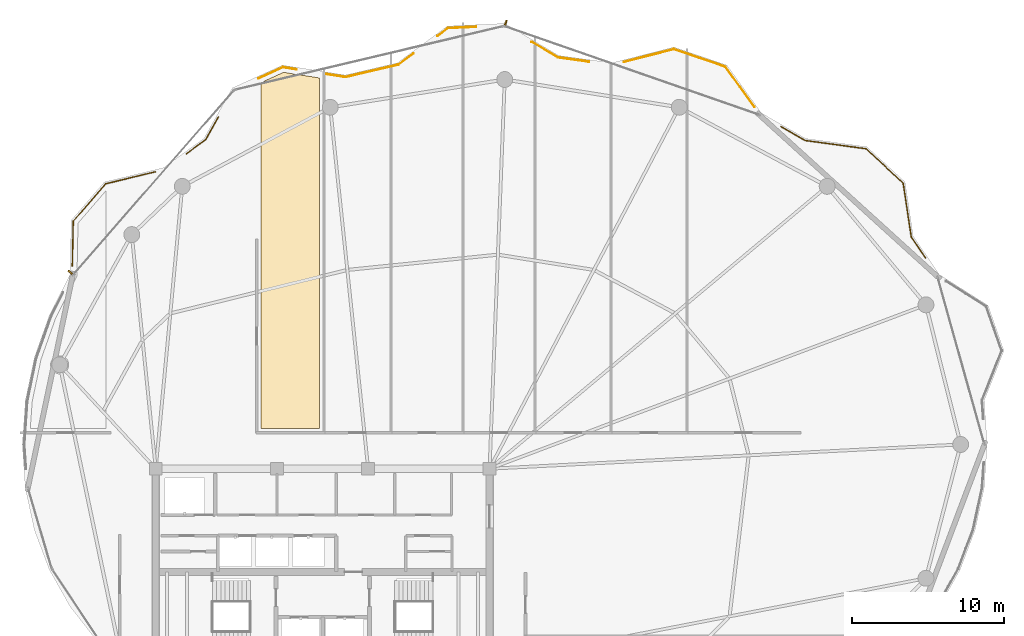
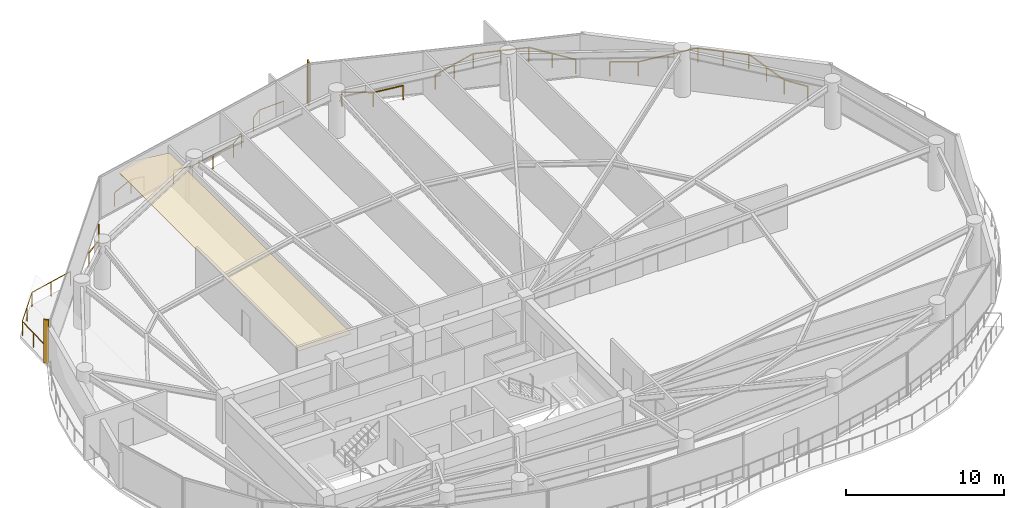
# One storey, part 28 of 28: 8 railings, 2 shading devices, 1 covering.
"""IFC4 building model written with IfcOpenShell, lengths in metres."""

from ifc_helpers import new_model, si_unit, direction, frame, origin, origin_2d, place, context, subcontext, project, spatial, polyline, rectangle, outline, extrude, material, layer, layer_set, type_object, element, save


model = new_model("IFC4")

# Units and contexts
model_context = context("Model", 3, precision=1e-05, world=origin(), true_north=direction((0.0, 1.0)))
body_context = subcontext(model_context, "Body", "Model", "MODEL_VIEW")
ifc_project = project(units=[si_unit("LENGTHUNIT", "METRE"), si_unit("AREAUNIT", "SQUARE_METRE"), si_unit("VOLUMEUNIT", "CUBIC_METRE"), si_unit("PLANEANGLEUNIT", "RADIAN"), si_unit("MASSUNIT", "GRAM", prefix="KILO")], contexts=[model_context])

# Site, building, storey
site_placement = place(None, origin())
site = spatial("IfcSite", under=ifc_project, at=site_placement, CompositionType="ELEMENT")
building_placement = place(site_placement, origin())
building = spatial("IfcBuilding", under=site, at=building_placement, Name="Kazevale Care Tower and Concert Hall", CompositionType="ELEMENT")
storey_placement = place(building_placement, frame((0.0, 0.0, 246.0)))
storey = spatial("IfcBuildingStorey", under=building, at=storey_placement, Name="L65", CompositionType="ELEMENT", Elevation=246.0)

# Covering
ifc_material_1 = material(Name="Acoustic Plaster and Hinoki Wood", Category="wood")
ifc_layer = layer(ifc_material_1, 0.0400390625)
ifc_layer_set = layer_set([ifc_layer], Name="Acoustic Plaster and Hinoki Wood")
covering_type = type_object("IfcCoveringType", Name="Acoustic Perforated Wood-Gypsum Ceiling", PredefinedType="CEILING", material=ifc_layer_set)
covering_placement = place(storey_placement, frame((0.0, 0.0, 2.7099609375)))
element("IfcCovering", 1, at=covering_placement, inside=storey, type_object=covering_type, Name="clg:L65:2", PredefinedType="CEILING", context=body_context, shape_type="SweptSolid", body=[
    extrude(outline(polyline([(28.929931640625, 61.847900390625), (30.4208984375, 62.52587890625), (32.800048828125, 62.153076171875), (32.800048828125, 39.054931640625), (28.929931640625, 39.054931640625), (28.929931640625, 61.847900390625)])), origin(), (0.0, 0.0, 1.0), 0.0400390625),
])

# Railings
ifc_material_2 = material(Name="Anodised Bronze Aluminium and Laminated Glass", Category="aluminium")
railing_type = type_object("IfcRailingType", Name="Balcony and Terrace Balustrade 1120", PredefinedType="BALUSTRADE", material=ifc_material_2)
railing_1_placement = place(storey_placement, frame((16.5009765625, 49.77392578125, 0.0)))
element("IfcRailing", 2, at=railing_1_placement, inside=storey, type_object=railing_type, Name="rail:L65:perim:2", PredefinedType="BALUSTRADE", context=body_context, shape_type="SweptSolid", body=[
    extrude(rectangle(XDim=0.048095703125, YDim=0.048095703125, at=origin_2d()), frame((0.0, 0.0, 1.09619140625), z_axis=(0.020776893953, 0.99978413704, 0.0), x_axis=(-0.99978413704, 0.020776893953, 0.0)), (0.0, 0.0, 1.0), 2.937744140625),
    extrude(rectangle(XDim=0.048095703125, YDim=0.048095703125, at=origin_2d()), frame((0.06103515625, 2.93701171875, 1.09619140625), z_axis=(0.653442230106, 0.75697638795, 0.0), x_axis=(-0.75697638795, 0.653442230106, 0.0)), (0.0, 0.0, 1.0), 3.256591796875),
    extrude(rectangle(XDim=0.048095703125, YDim=0.048095703125, at=origin_2d()), frame((2.18896484375, 5.402099609375, 1.09619140625), z_axis=(0.972048614054, 0.234779666741, 0.0), x_axis=(-0.234779666741, 0.972048614054, 0.0)), (0.0, 0.0, 1.0), 3.373291015625),
    extrude(rectangle(XDim=0.0419921875, YDim=0.0419921875, at=origin_2d()), origin(), (0.0, 0.0, 1.0), 1.072021484375),
    extrude(rectangle(XDim=0.0419921875, YDim=0.0419921875, at=origin_2d()), frame((0.030517578125, 1.468505859375, 0.0)), (0.0, 0.0, 1.0), 1.072021484375),
    extrude(rectangle(XDim=0.0419921875, YDim=0.0419921875, at=origin_2d()), frame((0.06103515625, 2.93701171875, 0.0)), (0.0, 0.0, 1.0), 1.072021484375),
    extrude(rectangle(XDim=0.0419921875, YDim=0.0419921875, at=origin_2d()), frame((1.125, 4.16943359375, 0.0)), (0.0, 0.0, 1.0), 1.072021484375),
    extrude(rectangle(XDim=0.0419921875, YDim=0.0419921875, at=origin_2d()), frame((2.18896484375, 5.402099609375, 0.0)), (0.0, 0.0, 1.0), 1.072021484375),
    extrude(rectangle(XDim=0.0419921875, YDim=0.0419921875, at=origin_2d()), frame((3.82861328125, 5.798095703125, 0.0)), (0.0, 0.0, 1.0), 1.072021484375),
    extrude(rectangle(XDim=0.0419921875, YDim=0.0419921875, at=origin_2d()), frame((5.468017578125, 6.194091796875, 0.0)), (0.0, 0.0, 1.0), 1.072021484375),
])
railing_2_placement = place(storey_placement, frame((24.01708984375, 57.159912109375, 0.0)))
element("IfcRailing", 3, at=railing_2_placement, inside=storey, type_object=railing_type, Name="rail:L65:perim:3", PredefinedType="BALUSTRADE", context=body_context, shape_type="SweptSolid", body=[
    extrude(rectangle(XDim=0.048095703125, YDim=0.048095703125, at=origin_2d()), frame((0.0, 0.0, 1.09619140625), z_axis=(0.809493304449, 0.587129108504, 0.0), x_axis=(-0.587129108504, 0.809493304449, 0.0)), (0.0, 0.0, 1.0), 1.56005859375),
    extrude(rectangle(XDim=0.048095703125, YDim=0.048095703125, at=origin_2d()), frame((1.262939453125, 0.916015625, 1.09619140625), z_axis=(0.490315047546, 0.871545267987, 0.0), x_axis=(-0.871545267987, 0.490315047546, 0.0)), (0.0, 0.0, 1.0), 1.723388671875),
    extrude(rectangle(XDim=0.0419921875, YDim=0.0419921875, at=origin_2d()), origin(), (0.0, 0.0, 1.0), 1.072021484375),
    extrude(rectangle(XDim=0.0419921875, YDim=0.0419921875, at=origin_2d()), frame((1.262939453125, 0.916015625, 0.0)), (0.0, 0.0, 1.0), 1.072021484375),
    extrude(rectangle(XDim=0.0419921875, YDim=0.0419921875, at=origin_2d()), frame((2.10791015625, 2.41796875, 0.0)), (0.0, 0.0, 1.0), 1.072021484375),
])
railing_3_placement = place(storey_placement, frame((28.763916015625, 62.125, 0.0)))
element("IfcRailing", 4, at=railing_3_placement, inside=storey, type_object=railing_type, Name="rail:L65:perim:4", PredefinedType="BALUSTRADE", context=body_context, shape_type="SweptSolid", body=[
    extrude(rectangle(XDim=0.048095703125, YDim=0.048095703125, at=origin_2d()), frame((0.0, 0.0, 1.09619140625), z_axis=(0.91054113019, 0.413418492853, 0.0), x_axis=(-0.413418492853, 0.91054113019, 0.0)), (0.0, 0.0, 1.0), 1.7705078125),
    extrude(rectangle(XDim=0.048095703125, YDim=0.048095703125, at=origin_2d()), frame((1.612060546875, 0.73193359375, 1.09619140625), z_axis=(0.98790083214, -0.155086897758, 0.0), x_axis=(0.155086897758, 0.98790083214, 0.0)), (0.0, 0.0, 1.0), 0.902099609375),
    extrude(rectangle(XDim=0.0419921875, YDim=0.0419921875, at=origin_2d()), origin(), (0.0, 0.0, 1.0), 1.072021484375),
    extrude(rectangle(XDim=0.0419921875, YDim=0.0419921875, at=origin_2d()), frame((1.612060546875, 0.73193359375, 0.0)), (0.0, 0.0, 1.0), 1.072021484375),
    extrude(rectangle(XDim=0.0419921875, YDim=0.0419921875, at=origin_2d()), frame((2.503173828125, 0.592041015625, 0.0)), (0.0, 0.0, 1.0), 1.072021484375),
])
railing_4_placement = place(storey_placement, frame((33.2509765625, 62.406005859375, 0.0)))
element("IfcRailing", 5, at=railing_4_placement, inside=storey, type_object=railing_type, Name="rail:L65:perim:5", PredefinedType="BALUSTRADE", context=body_context, shape_type="SweptSolid", body=[
    extrude(rectangle(XDim=0.048095703125, YDim=0.048095703125, at=origin_2d()), frame((0.0, 0.0, 1.09619140625), z_axis=(0.987942088413, -0.154823867485, 0.0), x_axis=(0.154823867485, 0.987942088413, 0.0)), (0.0, 0.0, 1.0), 1.266357421875),
    extrude(rectangle(XDim=0.048095703125, YDim=0.048095703125, at=origin_2d()), frame((1.2509765625, -0.196044921875, 1.09619140625), z_axis=(0.973807958737, 0.227372072823, 0.0), x_axis=(-0.227372072823, 0.973807958737, 0.0)), (0.0, 0.0, 1.0), 3.57568359375),
    extrude(rectangle(XDim=0.048095703125, YDim=0.048095703125, at=origin_2d()), frame((4.73291015625, 0.616943359375, 1.09619140625), z_axis=(0.805798451747, 0.592189881003, 0.0), x_axis=(-0.592189881003, 0.805798451747, 0.0)), (0.0, 0.0, 1.0), 1.2548828125),
    extrude(rectangle(XDim=0.0419921875, YDim=0.0419921875, at=origin_2d()), origin(), (0.0, 0.0, 1.0), 1.072021484375),
    extrude(rectangle(XDim=0.0419921875, YDim=0.0419921875, at=origin_2d()), frame((1.2509765625, -0.196044921875, 0.0)), (0.0, 0.0, 1.0), 1.072021484375),
    extrude(rectangle(XDim=0.0419921875, YDim=0.0419921875, at=origin_2d()), frame((2.991943359375, 0.21044921875, 0.0)), (0.0, 0.0, 1.0), 1.072021484375),
    extrude(rectangle(XDim=0.0419921875, YDim=0.0419921875, at=origin_2d()), frame((4.73291015625, 0.616943359375, 0.0)), (0.0, 0.0, 1.0), 1.072021484375),
    extrude(rectangle(XDim=0.0419921875, YDim=0.0419921875, at=origin_2d()), frame((5.744140625, 1.360107421875, 0.0)), (0.0, 0.0, 1.0), 1.072021484375),
])
railing_5_placement = place(storey_placement, frame((40.56396484375, 64.9189453125, 0.0)))
element("IfcRailing", 6, at=railing_5_placement, inside=storey, type_object=railing_type, Name="rail:L65:perim:6", PredefinedType="BALUSTRADE", context=body_context, shape_type="SweptSolid", body=[
    extrude(rectangle(XDim=0.048095703125, YDim=0.048095703125, at=origin_2d()), frame((0.0, 0.0, 1.09619140625), z_axis=(0.805713579929, 0.592305349561, 0.0), x_axis=(-0.592305349561, 0.805713579929, 0.0)), (0.0, 0.0, 1.0), 0.876220703125),
    extrude(rectangle(XDim=0.048095703125, YDim=0.048095703125, at=origin_2d()), frame((0.7060546875, 0.51904296875, 1.09619140625), z_axis=(0.998940261438, 0.046025580694, 0.0), x_axis=(-0.046025580694, 0.998940261438, 0.0)), (0.0, 0.0, 1.0), 1.845947265625),
    extrude(rectangle(XDim=0.0419921875, YDim=0.0419921875, at=origin_2d()), origin(), (0.0, 0.0, 1.0), 1.072021484375),
    extrude(rectangle(XDim=0.0419921875, YDim=0.0419921875, at=origin_2d()), frame((0.7060546875, 0.51904296875, 0.0)), (0.0, 0.0, 1.0), 1.072021484375),
    extrude(rectangle(XDim=0.0419921875, YDim=0.0419921875, at=origin_2d()), frame((2.550048828125, 0.60400390625, 0.0)), (0.0, 0.0, 1.0), 1.072021484375),
])
railing_6_placement = place(storey_placement, frame((46.783935546875, 64.529052734375, 0.0)))
element("IfcRailing", 7, at=railing_6_placement, inside=storey, type_object=railing_type, Name="rail:L65:perim:7", PredefinedType="BALUSTRADE", context=body_context, shape_type="SweptSolid", body=[
    extrude(rectangle(XDim=0.048095703125, YDim=0.048095703125, at=origin_2d()), frame((0.0, 0.0, 1.09619140625), z_axis=(0.859958006391, -0.510364798202, 0.0), x_axis=(0.510364798202, 0.859958006391, 0.0)), (0.0, 0.0, 1.0), 2.010498046875),
    extrude(rectangle(XDim=0.048095703125, YDim=0.048095703125, at=origin_2d()), frame((1.72900390625, -1.026123046875, 1.09619140625), z_axis=(0.990617777662, -0.136661693898, 0.0), x_axis=(0.136661693898, 0.990617777662, 0.0)), (0.0, 0.0, 1.0), 2.0400390625),
    extrude(rectangle(XDim=0.0419921875, YDim=0.0419921875, at=origin_2d()), origin(), (0.0, 0.0, 1.0), 1.072021484375),
    extrude(rectangle(XDim=0.0419921875, YDim=0.0419921875, at=origin_2d()), frame((1.72900390625, -1.026123046875, 0.0)), (0.0, 0.0, 1.0), 1.072021484375),
    extrude(rectangle(XDim=0.0419921875, YDim=0.0419921875, at=origin_2d()), frame((3.75, -1.304931640625, 0.0)), (0.0, 0.0, 1.0), 1.072021484375),
])
railing_7_placement = place(storey_placement, frame((52.8779296875, 63.212890625, 0.0)))
element("IfcRailing", 8, at=railing_7_placement, inside=storey, type_object=railing_type, Name="rail:L65:perim:8", PredefinedType="BALUSTRADE", context=body_context, shape_type="SweptSolid", body=[
    extrude(rectangle(XDim=0.048095703125, YDim=0.048095703125, at=origin_2d()), frame((0.0, 0.0, 1.09619140625), z_axis=(0.968841143246, 0.24768294078, 0.0), x_axis=(-0.24768294078, 0.968841143246, 0.0)), (0.0, 0.0, 1.0), 3.3681640625),
    extrude(rectangle(XDim=0.048095703125, YDim=0.048095703125, at=origin_2d()), frame((3.26318359375, 0.834228515625, 1.09619140625), z_axis=(0.946598937376, -0.322413479492, 0.0), x_axis=(0.322413479492, 0.946598937376, 0.0)), (0.0, 0.0, 1.0), 3.607421875),
    extrude(rectangle(XDim=0.048095703125, YDim=0.048095703125, at=origin_2d()), frame((6.677978515625, -0.328857421875, 1.09619140625), z_axis=(0.584785546416, -0.811187934269, 0.0), x_axis=(0.811187934269, 0.584785546416, 0.0)), (0.0, 0.0, 1.0), 3.26318359375),
    extrude(rectangle(XDim=0.0419921875, YDim=0.0419921875, at=origin_2d()), origin(), (0.0, 0.0, 1.0), 1.072021484375),
    extrude(rectangle(XDim=0.0419921875, YDim=0.0419921875, at=origin_2d()), frame((1.631591796875, 0.4169921875, 0.0)), (0.0, 0.0, 1.0), 1.072021484375),
    extrude(rectangle(XDim=0.0419921875, YDim=0.0419921875, at=origin_2d()), frame((3.26318359375, 0.834228515625, 0.0)), (0.0, 0.0, 1.0), 1.072021484375),
    extrude(rectangle(XDim=0.0419921875, YDim=0.0419921875, at=origin_2d()), frame((4.970703125, 0.252685546875, 0.0)), (0.0, 0.0, 1.0), 1.072021484375),
    extrude(rectangle(XDim=0.0419921875, YDim=0.0419921875, at=origin_2d()), frame((6.677978515625, -0.328857421875, 0.0)), (0.0, 0.0, 1.0), 1.072021484375),
    extrude(rectangle(XDim=0.0419921875, YDim=0.0419921875, at=origin_2d()), frame((7.632080078125, -1.65234375, 0.0)), (0.0, 0.0, 1.0), 1.072021484375),
    extrude(rectangle(XDim=0.0419921875, YDim=0.0419921875, at=origin_2d()), frame((8.586181640625, -2.975830078125, 0.0)), (0.0, 0.0, 1.0), 1.072021484375),
])
railing_8_placement = place(storey_placement, frame((63.200927734375, 58.946044921875, 0.0)))
element("IfcRailing", 9, at=railing_8_placement, inside=storey, type_object=railing_type, Name="rail:L65:perim:9", PredefinedType="BALUSTRADE", context=body_context, shape_type="SweptSolid", body=[
    extrude(rectangle(XDim=0.048095703125, YDim=0.048095703125, at=origin_2d()), frame((0.0, 0.0, 1.09619140625), z_axis=(0.866524193864, -0.49913507335, 0.0), x_axis=(0.49913507335, 0.866524193864, 0.0)), (0.0, 0.0, 1.0), 1.823486328125),
    extrude(rectangle(XDim=0.048095703125, YDim=0.048095703125, at=origin_2d()), frame((1.580078125, -0.91015625, 1.09619140625), z_axis=(0.990877699691, -0.134764180164, 0.0), x_axis=(0.134764180164, 0.990877699691, 0.0)), (0.0, 0.0, 1.0), 4.05810546875),
    extrude(rectangle(XDim=0.048095703125, YDim=0.048095703125, at=origin_2d()), frame((5.60107421875, -1.45703125, 1.09619140625), z_axis=(0.73603461898, -0.676943896983, 0.0), x_axis=(0.676943896983, 0.73603461898, 0.0)), (0.0, 0.0, 1.0), 3.334228515625),
    extrude(rectangle(XDim=0.048095703125, YDim=0.048095703125, at=origin_2d()), frame((8.05517578125, -3.714111328125, 1.09619140625), z_axis=(0.148940997459, -0.988846084725, 0.0), x_axis=(0.988846084725, 0.148940997459, 0.0)), (0.0, 0.0, 1.0), 3.597900390625),
    extrude(rectangle(XDim=0.048095703125, YDim=0.048095703125, at=origin_2d()), frame((8.591064453125, -7.27197265625, 1.09619140625), z_axis=(0.562761257822, -0.826619481197, 0.0), x_axis=(0.826619481197, 0.562761257822, 0.0)), (0.0, 0.0, 1.0), 1.671875),
    extrude(rectangle(XDim=0.0419921875, YDim=0.0419921875, at=origin_2d()), origin(), (0.0, 0.0, 1.0), 1.072021484375),
    extrude(rectangle(XDim=0.0419921875, YDim=0.0419921875, at=origin_2d()), frame((1.580078125, -0.91015625, 0.0)), (0.0, 0.0, 1.0), 1.072021484375),
    extrude(rectangle(XDim=0.0419921875, YDim=0.0419921875, at=origin_2d()), frame((3.590576171875, -1.18359375, 0.0)), (0.0, 0.0, 1.0), 1.072021484375),
    extrude(rectangle(XDim=0.0419921875, YDim=0.0419921875, at=origin_2d()), frame((5.60107421875, -1.45703125, 0.0)), (0.0, 0.0, 1.0), 1.072021484375),
    extrude(rectangle(XDim=0.0419921875, YDim=0.0419921875, at=origin_2d()), frame((6.828125, -2.58544921875, 0.0)), (0.0, 0.0, 1.0), 1.072021484375),
    extrude(rectangle(XDim=0.0419921875, YDim=0.0419921875, at=origin_2d()), frame((8.05517578125, -3.714111328125, 0.0)), (0.0, 0.0, 1.0), 1.072021484375),
    extrude(rectangle(XDim=0.0419921875, YDim=0.0419921875, at=origin_2d()), frame((8.3232421875, -5.4931640625, 0.0)), (0.0, 0.0, 1.0), 1.072021484375),
    extrude(rectangle(XDim=0.0419921875, YDim=0.0419921875, at=origin_2d()), frame((8.591064453125, -7.27197265625, 0.0)), (0.0, 0.0, 1.0), 1.072021484375),
    extrude(rectangle(XDim=0.0419921875, YDim=0.0419921875, at=origin_2d()), frame((9.531982421875, -8.654052734375, 0.0)), (0.0, 0.0, 1.0), 1.072021484375),
])

# Shading devices
ifc_material_3 = material(Name="Anodised Bronze Aluminium", Category="aluminium")
shading_device_type = type_object("IfcShadingDeviceType", Name="Waist Anodised Bronze-Stone Fin FIN-02", PredefinedType="USERDEFINED", material=ifc_material_3)
for number, where, z_axis, x_axis, name in (
    (10, (16.361328125, 49.347412109375, 0.0), (0.0, 0.0, 1.0), (-0.753792813636, 0.657112162503, 0.0), "cw:L65:f14:fin"),
    (11, (45.075927734375, 65.796630859375, 0.0), (0.0, 0.0, 1.0), (0.328536977169, 0.944491108816, 0.0), "cw:L65:f16:fin"),
):
    element("IfcShadingDevice", number, at=place(storey_placement, frame(where, z_axis=z_axis, x_axis=x_axis)), inside=storey, type_object=shading_device_type, Name=name, ObjectType="FIN", PredefinedType="USERDEFINED", context=body_context, shape_type="SweptSolid", body=[
        extrude(rectangle(XDim=0.340087890625, YDim=0.10009765625, at=origin_2d()), origin(), (0.0, 0.0, 1.0), 3.360107421875),
    ])

save(model, "model.ifc")
